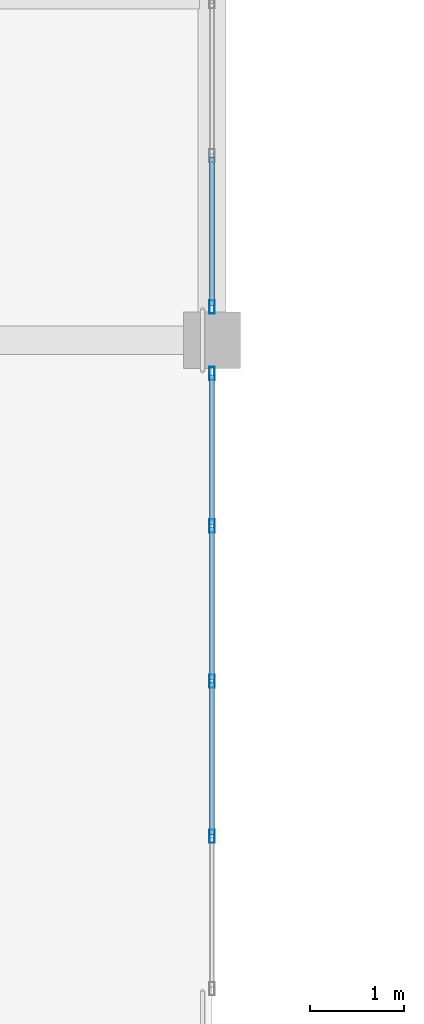
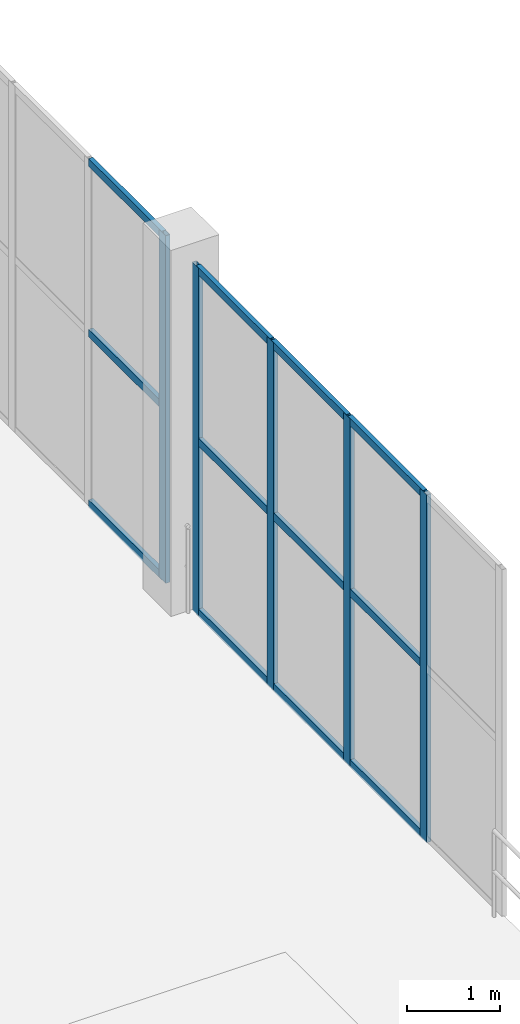
# One storey, part 50 of 105: 17 members, 2 elements without a shape of their own.
"""IFC4 building model written with IfcOpenShell, lengths in metres."""

from ifc_helpers import new_model, si_unit, direction, frame, origin, origin_2d, place, context, subcontext, project, spatial, hollow_rectangle, extrude, material, material_profile, profile_set, type_object, element, aggregate, save


model = new_model("IFC4")

# Units and contexts
model_context = context("Model", 3, precision=1e-05, world=origin(), true_north=direction((0.0, 1.0)))
body_context = subcontext(model_context, "Body", "Model", "MODEL_VIEW")
ifc_project = project(units=[si_unit("LENGTHUNIT", "METRE"), si_unit("AREAUNIT", "SQUARE_METRE"), si_unit("VOLUMEUNIT", "CUBIC_METRE"), si_unit("PLANEANGLEUNIT", "RADIAN"), si_unit("MASSUNIT", "GRAM", prefix="KILO")], contexts=[model_context])

# Site, building, storey
site_placement = place(None, origin())
site = spatial("IfcSite", under=ifc_project, at=site_placement, CompositionType="ELEMENT")
building_placement = place(site_placement, origin())
building = spatial("IfcBuilding", under=site, at=building_placement, Name="Qandorah Velis Arena", CompositionType="ELEMENT")
storey_placement = place(building_placement, frame((0.0, 0.0, 13.800048828125)))
storey = spatial("IfcBuildingStorey", under=building, at=storey_placement, Name="L03", CompositionType="ELEMENT", Elevation=13.800048828125)

# Curtain wall, members
ifc_material_1 = material(Name="Solar-control low-E double glazing", Category="glass")
curtain_wall_type_1 = type_object("IfcCurtainWallType", Name="ARC-CW-SYS20", PredefinedType="USERDEFINED", material=ifc_material_1)
curtain_wall_1_placement = place(storey_placement, origin())
curtain_wall_1 = element("IfcCurtainWall", 1, at=curtain_wall_1_placement, inside=storey, type_object=curtain_wall_type_1, Name="Unitised curtain wall L03-116", ObjectType="UNITISED CURTAIN WALL", PredefinedType="USERDEFINED")
ifc_material_2 = material(Name="Champagne-bronze anodized aluminium 6063-T6", Category="aluminium")
ifc_material_profile_1 = material_profile(ifc_material_2, hollow_rectangle(XDim=0.054931640625, YDim=0.139892578125, WallThickness=0.0029296875, at=origin_2d()), Name="ALU MULLION 55x140")
ifc_profile_set_1 = profile_set([ifc_material_profile_1], Name="Champagne-bronze anodized aluminium 6063-T6")
member_type_1 = type_object("IfcMemberType", Name="ARC-CWM-140", PredefinedType="MULLION", material=ifc_profile_set_1)
member_1_placement = place(storey_placement, frame((122.39990234375, 81.143798828125, -0.01513671875), z_axis=(0.0, 0.0, 1.0), x_axis=(-1.0, 0.0, 0.0)))
member_1 = element("IfcMember", 2, at=member_1_placement, type_object=member_type_1, Name="CW20 mullion 2", PredefinedType="MULLION", context=body_context, shape_type="SweptSolid", body=[
    extrude(hollow_rectangle(XDim=0.054931640625, YDim=0.139892578125, WallThickness=0.0029296875, at=origin_2d()), origin(), (0.0, 0.0, 1.0), 4.56005859375),
])
member_2_placement = place(storey_placement, frame((122.39990234375, 82.78759765625, -0.01513671875), z_axis=(0.0, 0.0, 1.0), x_axis=(-1.0, 0.0, 0.0)))
member_2 = element("IfcMember", 3, at=member_2_placement, type_object=member_type_1, Name="CW20 mullion 3", PredefinedType="MULLION", context=body_context, shape_type="SweptSolid", body=[
    extrude(hollow_rectangle(XDim=0.054931640625, YDim=0.139892578125, WallThickness=0.0029296875, at=origin_2d()), origin(), (0.0, 0.0, 1.0), 4.56005859375),
])
member_3_placement = place(storey_placement, frame((122.39990234375, 84.43115234375, -0.01513671875), z_axis=(0.0, 0.0, 1.0), x_axis=(-1.0, 0.0, 0.0)))
member_3 = element("IfcMember", 4, at=member_3_placement, type_object=member_type_1, Name="CW20 mullion 4", PredefinedType="MULLION", context=body_context, shape_type="SweptSolid", body=[
    extrude(hollow_rectangle(XDim=0.054931640625, YDim=0.139892578125, WallThickness=0.0029296875, at=origin_2d()), origin(), (0.0, 0.0, 1.0), 4.56005859375),
])
member_4_placement = place(storey_placement, frame((122.39990234375, 86.047607421875, -0.01513671875), z_axis=(0.0, 0.0, 1.0), x_axis=(-1.0, 0.0, 0.0)))
member_4 = element("IfcMember", 5, at=member_4_placement, type_object=member_type_1, Name="CW20 mullion 5", PredefinedType="MULLION", context=body_context, shape_type="SweptSolid", body=[
    extrude(hollow_rectangle(XDim=0.054931640625, YDim=0.139892578125, WallThickness=0.0029296875, at=origin_2d()), origin(), (0.0, 0.0, 1.0), 4.56005859375),
])

# Curtain wall, member
curtain_wall_type_2 = type_object("IfcCurtainWallType", Name="ARC-CW-SYS08", PredefinedType="USERDEFINED", material=ifc_material_1)
curtain_wall_2_placement = place(storey_placement, origin())
curtain_wall_2 = element("IfcCurtainWall", 6, at=curtain_wall_2_placement, inside=storey, type_object=curtain_wall_type_2, Name="Unitised curtain wall L03-176", ObjectType="UNITISED CURTAIN WALL", PredefinedType="USERDEFINED")
member_5_placement = place(storey_placement, frame((122.39990234375, 86.75244140625, -0.01513671875), z_axis=(0.0, 0.0, 1.0), x_axis=(-1.0, 0.0, 0.0)))
member_5 = element("IfcMember", 7, at=member_5_placement, type_object=member_type_1, Name="CW08 mullion 1", PredefinedType="MULLION", context=body_context, shape_type="SweptSolid", body=[
    extrude(hollow_rectangle(XDim=0.054931640625, YDim=0.139892578125, WallThickness=0.0029296875, at=origin_2d()), origin(), (0.0, 0.0, 1.0), 4.56005859375),
])

# Member
ifc_material_profile_2 = material_profile(ifc_material_2, hollow_rectangle(XDim=0.054931640625, YDim=0.10009765625, WallThickness=0.0029296875, at=origin_2d()), Name="ALU TRANSOM 55x100")
ifc_profile_set_2 = profile_set([ifc_material_profile_2], Name="Champagne-bronze anodized aluminium 6063-T6")
member_type_2 = type_object("IfcMemberType", Name="ARC-CWT-100", PredefinedType="USERDEFINED", material=ifc_profile_set_2)
member_6_placement = place(storey_placement, frame((122.39990234375, 81.1591796875, 0.02734375), z_axis=(0.0, 1.0, 0.0), x_axis=(-1.0, 0.0, 0.0)))
member_6 = element("IfcMember", 8, at=member_6_placement, type_object=member_type_2, Name="CW20 transom 2.1", ObjectType="TRANSOM", PredefinedType="USERDEFINED", context=body_context, shape_type="SweptSolid", body=[
    extrude(hollow_rectangle(XDim=0.054931640625, YDim=0.10009765625, WallThickness=0.0029296875, at=origin_2d()), origin(), (0.0, 0.0, 1.0), 1.61279296875),
])

member_7_placement = place(storey_placement, frame((122.39990234375, 81.1591796875, 2.264892578125), z_axis=(0.0, 1.0, 0.0), x_axis=(-1.0, 0.0, 0.0)))
member_7 = element("IfcMember", 9, at=member_7_placement, type_object=member_type_2, Name="CW20 transom 2.2", ObjectType="TRANSOM", PredefinedType="USERDEFINED", context=body_context, shape_type="SweptSolid", body=[
    extrude(hollow_rectangle(XDim=0.054931640625, YDim=0.10009765625, WallThickness=0.0029296875, at=origin_2d()), origin(), (0.0, 0.0, 1.0), 1.61279296875),
])

member_8_placement = place(storey_placement, frame((122.39990234375, 81.1591796875, 4.50244140625), z_axis=(0.0, 1.0, 0.0), x_axis=(-1.0, 0.0, 0.0)))
member_8 = element("IfcMember", 10, at=member_8_placement, type_object=member_type_2, Name="CW20 transom 2.3", ObjectType="TRANSOM", PredefinedType="USERDEFINED", context=body_context, shape_type="SweptSolid", body=[
    extrude(hollow_rectangle(XDim=0.054931640625, YDim=0.10009765625, WallThickness=0.0029296875, at=origin_2d()), origin(), (0.0, 0.0, 1.0), 1.61279296875),
])

member_9_placement = place(storey_placement, frame((122.39990234375, 82.802978515625, 0.02734375), z_axis=(0.0, 1.0, 0.0), x_axis=(-1.0, 0.0, 0.0)))
member_9 = element("IfcMember", 11, at=member_9_placement, type_object=member_type_2, Name="CW20 transom 3.1", ObjectType="TRANSOM", PredefinedType="USERDEFINED", context=body_context, shape_type="SweptSolid", body=[
    extrude(hollow_rectangle(XDim=0.054931640625, YDim=0.10009765625, WallThickness=0.0029296875, at=origin_2d()), origin(), (0.0, 0.0, 1.0), 1.61279296875),
])

member_10_placement = place(storey_placement, frame((122.39990234375, 82.802978515625, 2.264892578125), z_axis=(0.0, 1.0, 0.0), x_axis=(-1.0, 0.0, 0.0)))
member_10 = element("IfcMember", 12, at=member_10_placement, type_object=member_type_2, Name="CW20 transom 3.2", ObjectType="TRANSOM", PredefinedType="USERDEFINED", context=body_context, shape_type="SweptSolid", body=[
    extrude(hollow_rectangle(XDim=0.054931640625, YDim=0.10009765625, WallThickness=0.0029296875, at=origin_2d()), origin(), (0.0, 0.0, 1.0), 1.61279296875),
])

member_11_placement = place(storey_placement, frame((122.39990234375, 82.802978515625, 4.50244140625), z_axis=(0.0, 1.0, 0.0), x_axis=(-1.0, 0.0, 0.0)))
member_11 = element("IfcMember", 13, at=member_11_placement, type_object=member_type_2, Name="CW20 transom 3.3", ObjectType="TRANSOM", PredefinedType="USERDEFINED", context=body_context, shape_type="SweptSolid", body=[
    extrude(hollow_rectangle(XDim=0.054931640625, YDim=0.10009765625, WallThickness=0.0029296875, at=origin_2d()), origin(), (0.0, 0.0, 1.0), 1.61279296875),
])

member_12_placement = place(storey_placement, frame((122.39990234375, 84.44677734375, 0.02734375), z_axis=(0.0, 1.0, 0.0), x_axis=(-1.0, 0.0, 0.0)))
member_12 = element("IfcMember", 14, at=member_12_placement, type_object=member_type_2, Name="CW20 transom 4.1", ObjectType="TRANSOM", PredefinedType="USERDEFINED", context=body_context, shape_type="SweptSolid", body=[
    extrude(hollow_rectangle(XDim=0.054931640625, YDim=0.10009765625, WallThickness=0.0029296875, at=origin_2d()), origin(), (0.0, 0.0, 1.0), 1.585205078125),
])

member_13_placement = place(storey_placement, frame((122.39990234375, 84.44677734375, 2.264892578125), z_axis=(0.0, 1.0, 0.0), x_axis=(-1.0, 0.0, 0.0)))
member_13 = element("IfcMember", 15, at=member_13_placement, type_object=member_type_2, Name="CW20 transom 4.2", ObjectType="TRANSOM", PredefinedType="USERDEFINED", context=body_context, shape_type="SweptSolid", body=[
    extrude(hollow_rectangle(XDim=0.054931640625, YDim=0.10009765625, WallThickness=0.0029296875, at=origin_2d()), origin(), (0.0, 0.0, 1.0), 1.585205078125),
])

member_14_placement = place(storey_placement, frame((122.39990234375, 84.44677734375, 4.50244140625), z_axis=(0.0, 1.0, 0.0), x_axis=(-1.0, 0.0, 0.0)))
member_14 = element("IfcMember", 16, at=member_14_placement, type_object=member_type_2, Name="CW20 transom 4.3", ObjectType="TRANSOM", PredefinedType="USERDEFINED", context=body_context, shape_type="SweptSolid", body=[
    extrude(hollow_rectangle(XDim=0.054931640625, YDim=0.10009765625, WallThickness=0.0029296875, at=origin_2d()), origin(), (0.0, 0.0, 1.0), 1.585205078125),
])

aggregate(curtain_wall_1, [member_1, member_2, member_3, member_4, member_6, member_7, member_8, member_9, member_10, member_11, member_12, member_13, member_14])

member_15_placement = place(storey_placement, frame((122.39990234375, 86.76806640625, 0.02734375), z_axis=(0.0, 1.0, 0.0), x_axis=(-1.0, 0.0, 0.0)))
member_15 = element("IfcMember", 17, at=member_15_placement, type_object=member_type_2, Name="CW08 transom 1.1", ObjectType="TRANSOM", PredefinedType="USERDEFINED", context=body_context, shape_type="SweptSolid", body=[
    extrude(hollow_rectangle(XDim=0.054931640625, YDim=0.10009765625, WallThickness=0.0029296875, at=origin_2d()), origin(), (0.0, 0.0, 1.0), 1.57275390625),
])

member_16_placement = place(storey_placement, frame((122.39990234375, 86.76806640625, 2.264892578125), z_axis=(0.0, 1.0, 0.0), x_axis=(-1.0, 0.0, 0.0)))
member_16 = element("IfcMember", 18, at=member_16_placement, type_object=member_type_2, Name="CW08 transom 1.2", ObjectType="TRANSOM", PredefinedType="USERDEFINED", context=body_context, shape_type="SweptSolid", body=[
    extrude(hollow_rectangle(XDim=0.054931640625, YDim=0.10009765625, WallThickness=0.0029296875, at=origin_2d()), origin(), (0.0, 0.0, 1.0), 1.57275390625),
])

member_17_placement = place(storey_placement, frame((122.39990234375, 86.76806640625, 4.50244140625), z_axis=(0.0, 1.0, 0.0), x_axis=(-1.0, 0.0, 0.0)))
member_17 = element("IfcMember", 19, at=member_17_placement, type_object=member_type_2, Name="CW08 transom 1.3", ObjectType="TRANSOM", PredefinedType="USERDEFINED", context=body_context, shape_type="SweptSolid", body=[
    extrude(hollow_rectangle(XDim=0.054931640625, YDim=0.10009765625, WallThickness=0.0029296875, at=origin_2d()), origin(), (0.0, 0.0, 1.0), 1.57275390625),
])

aggregate(curtain_wall_2, [member_5, member_15, member_16, member_17])

save(model, "model.ifc")
